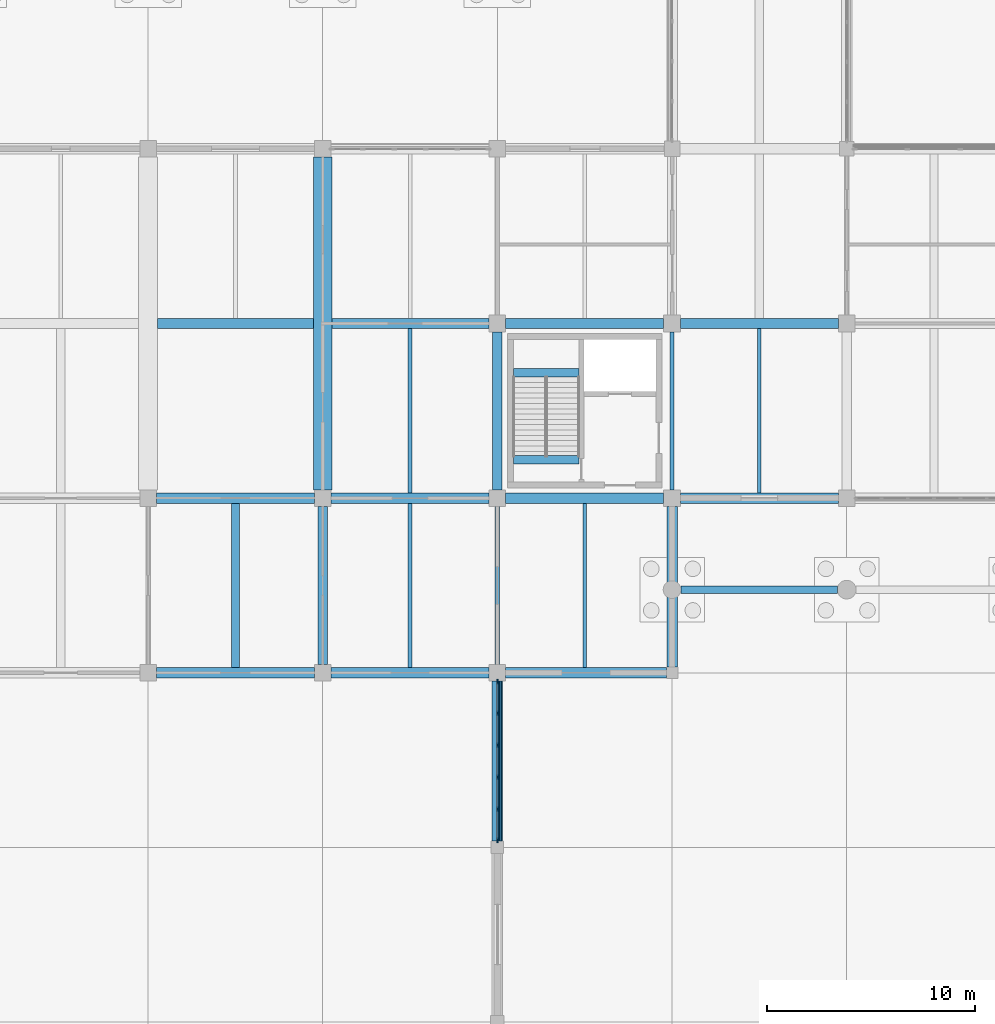
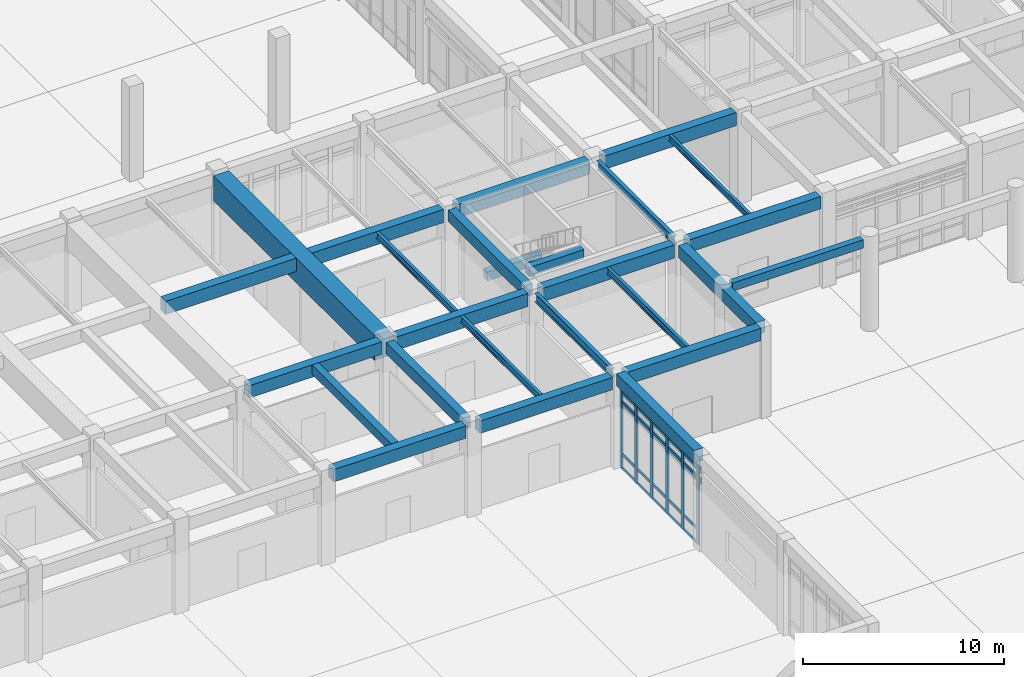
# One storey, part 13 of 91: 28 members, 26 beams, 1 element without a shape of its own.
"""IFC4 building model written with IfcOpenShell, lengths in metres."""

from ifc_helpers import new_model, si_unit, direction, frame, origin, origin_2d, place, context, subcontext, project, spatial, rectangle, i_section, extrude, material, layer, layer_set, material_profile, profile_set, type_object, element, aggregate, save


model = new_model("IFC4")

# Units and contexts
model_context = context("Model", 3, precision=1e-05, world=origin(), true_north=direction((0.0, 1.0)))
body_context = subcontext(model_context, "Body", "Model", "MODEL_VIEW")
ifc_project = project(units=[si_unit("LENGTHUNIT", "METRE"), si_unit("AREAUNIT", "SQUARE_METRE"), si_unit("VOLUMEUNIT", "CUBIC_METRE"), si_unit("PLANEANGLEUNIT", "RADIAN"), si_unit("MASSUNIT", "GRAM", prefix="KILO")], contexts=[model_context])

# Site, building, storey
site_placement = place(None, origin())
site = spatial("IfcSite", under=ifc_project, at=site_placement, CompositionType="ELEMENT")
building_placement = place(site_placement, origin())
building = spatial("IfcBuilding", under=site, at=building_placement, Name="Porcellanite Civic Hall", CompositionType="ELEMENT")
storey_placement = place(building_placement, origin())
storey = spatial("IfcBuildingStorey", under=building, at=storey_placement, Name="L00", CompositionType="ELEMENT", Elevation=0.0)

# Beams
ifc_material_1 = material(Name="Concrete N50 (50 MPa)", Category="concrete")
ifc_material_profile_1 = material_profile(ifc_material_1, rectangle(XDim=0.39990234375, YDim=0.550048828125, at=origin_2d()), Name="RC-400x550")
ifc_profile_set_1 = profile_set([ifc_material_profile_1], Name="Concrete N50 (50 MPa)")
beam_type_1 = type_object("IfcBeamType", Name="BM-RC550", PredefinedType="JOIST", material=ifc_profile_set_1)
beam_1_placement = place(storey_placement, frame((96.60009765625, 42.24951171875, 5.22509765625), z_axis=(0.0, 1.0, 0.0), x_axis=(-1.0, 0.0, 0.0)))
element("IfcBeam", 1, at=beam_1_placement, inside=storey, type_object=beam_type_1, Name="Secondary joist L00 12-6", PredefinedType="JOIST", context=body_context, shape_type="SweptSolid", body=[
    extrude(rectangle(XDim=0.39990234375, YDim=0.550048828125, at=origin_2d()), origin(), (0.0, 0.0, 1.0), 7.90087890625),
])
for number, where, z_axis, x_axis, name in (
    (2, (109.98046875, 56.425048828125, 2.425048828125), (1.0, 0.0, 0.0), (0.0, 1.0, 0.0), "Stair landing beam C6 L00"),
    (3, (109.98046875, 52.25, 5.22509765625), (1.0, 0.0, 0.0), (0.0, 1.0, 0.0), "Stair header beam C6 L00"),
):
    element("IfcBeam", number, at=place(storey_placement, frame(where, z_axis=z_axis, x_axis=x_axis)), inside=storey, type_object=beam_type_1, Name=name, PredefinedType="JOIST", context=body_context, shape_type="SweptSolid", body=[
        extrude(rectangle(XDim=0.39990234375, YDim=0.550048828125, at=origin_2d()), origin(), (0.0, 0.0, 1.0), 3.138916015625),
    ])
ifc_material_2 = material(Name="Concrete N50 (50 MPa)", Category="concrete")
ifc_material_profile_2 = material_profile(ifc_material_2, rectangle(XDim=0.449951171875, YDim=0.699951171875, at=origin_2d()), Name="RC-450x700")
ifc_profile_set_2 = profile_set([ifc_material_profile_2], Name="Concrete N50 (50 MPa)")
beam_type_2 = type_object("IfcBeamType", Name="BM-RC700", PredefinedType="BEAM", material=ifc_profile_set_2)
beam_2_placement = place(storey_placement, frame((100.800048828125, 42.3994140625, 5.14990234375), z_axis=(0.0, 1.0, 0.0), x_axis=(-1.0, 0.0, 0.0)))
element("IfcBeam", 4, at=beam_2_placement, inside=storey, type_object=beam_type_2, Name="Beam Y L00 13-6", PredefinedType="BEAM", context=body_context, shape_type="SweptSolid", body=[
    extrude(rectangle(XDim=0.449951171875, YDim=0.699951171875, at=origin_2d()), origin(), (0.0, 0.0, 1.0), 7.60107421875),
])
beam_3_placement = place(storey_placement, frame((109.199951171875, 50.799560546875, 5.14990234375), z_axis=(0.0, 1.0, 0.0), x_axis=(-1.0, 0.0, 0.0)))
element("IfcBeam", 5, at=beam_3_placement, inside=storey, type_object=beam_type_2, Name="Beam Y L00 14-7", PredefinedType="BEAM", context=body_context, shape_type="SweptSolid", body=[
    extrude(rectangle(XDim=0.449951171875, YDim=0.699951171875, at=origin_2d()), origin(), (0.0, 0.0, 1.0), 7.600830078125),
])
ifc_material_3 = material(Name="Concrete N50 (50 MPa)", Category="concrete")
ifc_material_profile_3 = material_profile(ifc_material_3, rectangle(XDim=0.5, YDim=0.75, at=origin_2d()), Name="RC-500x750")
ifc_profile_set_3 = profile_set([ifc_material_profile_3], Name="Concrete N50 (50 MPa)")
beam_type_3 = type_object("IfcBeamType", Name="BM-RC750", PredefinedType="SPANDREL", material=ifc_profile_set_3)
for number, where, z_axis, x_axis, name in (
    (6, (92.799560546875, 42.0, 5.125), (1.0, 0.0, 0.0), (0.0, 1.0, 0.0), "Beam X L00 12-6"),
    (7, (92.799560546875, 50.39990234375, 5.125), (1.0, 0.0, 0.0), (0.0, 1.0, 0.0), "Beam X L00 12-7"),
):
    element("IfcBeam", number, at=place(storey_placement, frame(where, z_axis=z_axis, x_axis=x_axis)), inside=storey, type_object=beam_type_3, Name=name, PredefinedType="SPANDREL", context=body_context, shape_type="SweptSolid", body=[
        extrude(rectangle(XDim=0.5, YDim=0.75, at=origin_2d()), origin(), (0.0, 0.0, 1.0), 7.600830078125),
    ])
beam_4_placement = place(storey_placement, frame((101.199462890625, 42.0, 5.125), z_axis=(1.0, 0.0, 0.0), x_axis=(0.0, 1.0, 0.0)))
element("IfcBeam", 8, at=beam_4_placement, inside=storey, type_object=beam_type_3, Name="Beam X L00 13-6", PredefinedType="SPANDREL", context=body_context, shape_type="SweptSolid", body=[
    extrude(rectangle(XDim=0.5, YDim=0.75, at=origin_2d()), origin(), (0.0, 0.0, 1.0), 7.60107421875),
])
beam_5_placement = place(storey_placement, frame((109.599609375, 42.0, 5.125), z_axis=(1.0, 0.0, 0.0), x_axis=(0.0, 1.0, 0.0)))
element("IfcBeam", 9, at=beam_5_placement, inside=storey, type_object=beam_type_3, Name="Beam X L00 14-6", PredefinedType="SPANDREL", context=body_context, shape_type="SweptSolid", body=[
    extrude(rectangle(XDim=0.5, YDim=0.75, at=origin_2d()), origin(), (0.0, 0.0, 1.0), 7.725830078125),
])
beam_6_placement = place(storey_placement, frame((117.99951171875, 50.39990234375, 5.125), z_axis=(1.0, 0.0, 0.0), x_axis=(0.0, 1.0, 0.0)))
element("IfcBeam", 10, at=beam_6_placement, inside=storey, type_object=beam_type_3, Name="Beam X L00 15-7", PredefinedType="SPANDREL", context=body_context, shape_type="SweptSolid", body=[
    extrude(rectangle(XDim=0.5, YDim=0.75, at=origin_2d()), origin(), (0.0, 0.0, 1.0), 7.60107421875),
])
beam_7_placement = place(storey_placement, frame((117.60009765625, 42.2744140625, 5.125), z_axis=(0.0, 1.0, 0.0), x_axis=(-1.0, 0.0, 0.0)))
element("IfcBeam", 11, at=beam_7_placement, inside=storey, type_object=beam_type_3, Name="Beam Y L00 15-6", PredefinedType="SPANDREL", context=body_context, shape_type="SweptSolid", body=[
    extrude(rectangle(XDim=0.5, YDim=0.75, at=origin_2d()), origin(), (0.0, 0.0, 1.0), 7.72607421875),
])
beam_8_placement = place(storey_placement, frame((109.199951171875, 33.8994140625, 5.385009765625), z_axis=(0.0, 1.0, 0.0), x_axis=(-1.0, 0.0, 0.0)))
element("IfcBeam", 12, at=beam_8_placement, inside=storey, type_object=beam_type_3, Name="Public Hall waist spandrel E 4", PredefinedType="SPANDREL", context=body_context, shape_type="SweptSolid", body=[
    extrude(rectangle(XDim=0.5, YDim=0.75, at=origin_2d()), origin(), (0.0, 0.0, 1.0), 7.701171875),
])
ifc_material_4 = material(Name="Concrete N50 (50 MPa)", Category="concrete")
ifc_material_profile_4 = material_profile(ifc_material_4, rectangle(XDim=0.5, YDim=0.800048828125, at=origin_2d()), Name="RC-500x800")
ifc_profile_set_4 = profile_set([ifc_material_profile_4], Name="Concrete N50 (50 MPa)")
beam_type_4 = type_object("IfcBeamType", Name="BM-RC800", PredefinedType="BEAM", material=ifc_profile_set_4)
beam_9_placement = place(storey_placement, frame((92.849609375, 58.800048828125, 5.10009765625), z_axis=(1.0, 0.0, 0.0), x_axis=(0.0, 1.0, 0.0)))
element("IfcBeam", 13, at=beam_9_placement, inside=storey, type_object=beam_type_4, Name="Foyer tie beam L01 11", PredefinedType="BEAM", context=body_context, shape_type="SweptSolid", body=[
    extrude(rectangle(XDim=0.5, YDim=0.800048828125, at=origin_2d()), origin(), (0.0, 0.0, 1.0), 7.5009765625),
])
beam_10_placement = place(storey_placement, frame((101.24951171875, 58.800048828125, 5.10009765625), z_axis=(1.0, 0.0, 0.0), x_axis=(0.0, 1.0, 0.0)))
element("IfcBeam", 14, at=beam_10_placement, inside=storey, type_object=beam_type_4, Name="Foyer tie beam L01 12", PredefinedType="BEAM", context=body_context, shape_type="SweptSolid", body=[
    extrude(rectangle(XDim=0.5, YDim=0.800048828125, at=origin_2d()), origin(), (0.0, 0.0, 1.0), 7.551025390625),
])
beam_11_placement = place(storey_placement, frame((101.199462890625, 50.39990234375, 5.10009765625), z_axis=(1.0, 0.0, 0.0), x_axis=(0.0, 1.0, 0.0)))
element("IfcBeam", 15, at=beam_11_placement, inside=storey, type_object=beam_type_4, Name="Beam X L00 13-7", PredefinedType="BEAM", context=body_context, shape_type="SweptSolid", body=[
    extrude(rectangle(XDim=0.5, YDim=0.800048828125, at=origin_2d()), origin(), (0.0, 0.0, 1.0), 7.60107421875),
])
for number, where, z_axis, x_axis, name in (
    (16, (109.599609375, 50.39990234375, 5.10009765625), (1.0, 0.0, 0.0), (0.0, 1.0, 0.0), "Beam X L00 14-7"),
    (17, (109.599609375, 58.800048828125, 5.10009765625), (1.0, 0.0, 0.0), (0.0, 1.0, 0.0), "Beam X L00 14-8"),
):
    element("IfcBeam", number, at=place(storey_placement, frame(where, z_axis=z_axis, x_axis=x_axis)), inside=storey, type_object=beam_type_4, Name=name, PredefinedType="BEAM", context=body_context, shape_type="SweptSolid", body=[
        extrude(rectangle(XDim=0.5, YDim=0.800048828125, at=origin_2d()), origin(), (0.0, 0.0, 1.0), 7.600830078125),
    ])
beam_12_placement = place(storey_placement, frame((117.99951171875, 58.800048828125, 5.10009765625), z_axis=(1.0, 0.0, 0.0), x_axis=(0.0, 1.0, 0.0)))
element("IfcBeam", 18, at=beam_12_placement, inside=storey, type_object=beam_type_4, Name="Beam X L00 15-8", PredefinedType="BEAM", context=body_context, shape_type="SweptSolid", body=[
    extrude(rectangle(XDim=0.5, YDim=0.800048828125, at=origin_2d()), origin(), (0.0, 0.0, 1.0), 7.60107421875),
])

# Curtain wall, members
ifc_material_5 = material(Name="Anodised aluminium and solar laminated glass", Category="aluminium")
ifc_layer = layer(ifc_material_5, 0.179931640625)
ifc_layer_set = layer_set([ifc_layer], Name="Anodised aluminium and solar laminated glass")
curtain_wall_type = type_object("IfcCurtainWallType", Name="CW-SYS01", PredefinedType="NOTDEFINED", material=ifc_layer_set)
curtain_wall_placement = place(storey_placement, origin())
curtain_wall = element("IfcCurtainWall", 19, at=curtain_wall_placement, inside=storey, type_object=curtain_wall_type, Name="Curtain wall CW-033", PredefinedType="NOTDEFINED")
ifc_material_6 = material(Name="Anodised aluminium 6063-T6", Category="aluminium")
ifc_material_profile_5 = material_profile(ifc_material_6, rectangle(XDim=0.080078125, YDim=0.239990234375, at=origin_2d()), Name="AL-80x240")
ifc_profile_set_5 = profile_set([ifc_material_profile_5], Name="Anodised aluminium 6063-T6")
member_type_1 = type_object("IfcMemberType", Name="CWM-01", PredefinedType="MULLION", material=ifc_profile_set_5)
member_1_placement = place(storey_placement, frame((109.199951171875, 41.55908203125, 0.0), z_axis=(0.0, 0.0, 1.0), x_axis=(1.0, 0.0, 0.0)))
member_1 = element("IfcMember", 20, at=member_1_placement, type_object=member_type_1, Name="CW-033 mullion 1", PredefinedType="MULLION", context=body_context, shape_type="SweptSolid", body=[
    extrude(rectangle(XDim=0.080078125, YDim=0.239990234375, at=origin_2d()), origin(), (0.0, 0.0, 1.0), 4.699951171875),
])
member_2_placement = place(storey_placement, frame((109.199951171875, 40.059326171875, 0.0), z_axis=(0.0, 0.0, 1.0), x_axis=(1.0, 0.0, 0.0)))
member_2 = element("IfcMember", 21, at=member_2_placement, type_object=member_type_1, Name="CW-033 mullion 2", PredefinedType="MULLION", context=body_context, shape_type="SweptSolid", body=[
    extrude(rectangle(XDim=0.080078125, YDim=0.239990234375, at=origin_2d()), origin(), (0.0, 0.0, 1.0), 4.699951171875),
])
member_3_placement = place(storey_placement, frame((109.199951171875, 38.519775390625, 0.0), z_axis=(0.0, 0.0, 1.0), x_axis=(1.0, 0.0, 0.0)))
member_3 = element("IfcMember", 22, at=member_3_placement, type_object=member_type_1, Name="CW-033 mullion 3", PredefinedType="MULLION", context=body_context, shape_type="SweptSolid", body=[
    extrude(rectangle(XDim=0.080078125, YDim=0.239990234375, at=origin_2d()), origin(), (0.0, 0.0, 1.0), 4.699951171875),
])
member_4_placement = place(storey_placement, frame((109.199951171875, 36.980224609375, 0.0), z_axis=(0.0, 0.0, 1.0), x_axis=(1.0, 0.0, 0.0)))
member_4 = element("IfcMember", 23, at=member_4_placement, type_object=member_type_1, Name="CW-033 mullion 4", PredefinedType="MULLION", context=body_context, shape_type="SweptSolid", body=[
    extrude(rectangle(XDim=0.080078125, YDim=0.239990234375, at=origin_2d()), origin(), (0.0, 0.0, 1.0), 4.699951171875),
])
member_5_placement = place(storey_placement, frame((109.199951171875, 35.440673828125, 0.0), z_axis=(0.0, 0.0, 1.0), x_axis=(1.0, 0.0, 0.0)))
member_5 = element("IfcMember", 24, at=member_5_placement, type_object=member_type_1, Name="CW-033 mullion 5", PredefinedType="MULLION", context=body_context, shape_type="SweptSolid", body=[
    extrude(rectangle(XDim=0.080078125, YDim=0.239990234375, at=origin_2d()), origin(), (0.0, 0.0, 1.0), 4.699951171875),
])
member_6_placement = place(storey_placement, frame((109.199951171875, 33.94091796875, 0.0), z_axis=(0.0, 0.0, 1.0), x_axis=(1.0, 0.0, 0.0)))
member_6 = element("IfcMember", 25, at=member_6_placement, type_object=member_type_1, Name="CW-033 mullion 6", PredefinedType="MULLION", context=body_context, shape_type="SweptSolid", body=[
    extrude(rectangle(XDim=0.080078125, YDim=0.239990234375, at=origin_2d()), origin(), (0.0, 0.0, 1.0), 4.699951171875),
])
ifc_material_7 = material(Name="Anodised aluminium 6063-T6", Category="aluminium")
ifc_material_profile_6 = material_profile(ifc_material_7, rectangle(XDim=0.070068359375, YDim=0.175048828125, at=origin_2d()), Name="AL-70x175")
ifc_profile_set_6 = profile_set([ifc_material_profile_6], Name="Anodised aluminium 6063-T6")
member_type_2 = type_object("IfcMemberType", Name="CWT-01", PredefinedType="USERDEFINED", material=ifc_profile_set_6)
member_7_placement = place(storey_placement, frame((109.199951171875, 41.51904296875, 0.034912109375), z_axis=(0.0, -1.0, 0.0), x_axis=(1.0, 0.0, 0.0)))
member_7 = element("IfcMember", 26, at=member_7_placement, type_object=member_type_2, Name="CW-033 transom 1.1", ObjectType="TRANSOM", PredefinedType="USERDEFINED", context=body_context, shape_type="SweptSolid", body=[
    extrude(rectangle(XDim=0.070068359375, YDim=0.175048828125, at=origin_2d()), origin(), (0.0, 0.0, 1.0), 1.419677734375),
])
member_8_placement = place(storey_placement, frame((109.199951171875, 41.51904296875, 0.89990234375), z_axis=(0.0, -1.0, 0.0), x_axis=(1.0, 0.0, 0.0)))
member_8 = element("IfcMember", 27, at=member_8_placement, type_object=member_type_2, Name="CW-033 transom 1.2", ObjectType="TRANSOM", PredefinedType="USERDEFINED", context=body_context, shape_type="SweptSolid", body=[
    extrude(rectangle(XDim=0.070068359375, YDim=0.175048828125, at=origin_2d()), origin(), (0.0, 0.0, 1.0), 1.419677734375),
])
member_9_placement = place(storey_placement, frame((109.199951171875, 41.51904296875, 4.050048828125), z_axis=(0.0, -1.0, 0.0), x_axis=(1.0, 0.0, 0.0)))
member_9 = element("IfcMember", 28, at=member_9_placement, type_object=member_type_2, Name="CW-033 transom 1.3", ObjectType="TRANSOM", PredefinedType="USERDEFINED", context=body_context, shape_type="SweptSolid", body=[
    extrude(rectangle(XDim=0.070068359375, YDim=0.175048828125, at=origin_2d()), origin(), (0.0, 0.0, 1.0), 1.419677734375),
])
member_10_placement = place(storey_placement, frame((109.199951171875, 41.51904296875, 4.6650390625), z_axis=(0.0, -1.0, 0.0), x_axis=(1.0, 0.0, 0.0)))
member_10 = element("IfcMember", 29, at=member_10_placement, type_object=member_type_2, Name="CW-033 transom 1.4", ObjectType="TRANSOM", PredefinedType="USERDEFINED", context=body_context, shape_type="SweptSolid", body=[
    extrude(rectangle(XDim=0.070068359375, YDim=0.175048828125, at=origin_2d()), origin(), (0.0, 0.0, 1.0), 1.419677734375),
])
member_11_placement = place(storey_placement, frame((109.199951171875, 40.019287109375, 0.034912109375), z_axis=(0.0, -1.0, 0.0), x_axis=(1.0, 0.0, 0.0)))
member_11 = element("IfcMember", 30, at=member_11_placement, type_object=member_type_2, Name="CW-033 transom 2.1", ObjectType="TRANSOM", PredefinedType="USERDEFINED", context=body_context, shape_type="SweptSolid", body=[
    extrude(rectangle(XDim=0.070068359375, YDim=0.175048828125, at=origin_2d()), origin(), (0.0, 0.0, 1.0), 1.45947265625),
])
member_12_placement = place(storey_placement, frame((109.199951171875, 40.019287109375, 0.89990234375), z_axis=(0.0, -1.0, 0.0), x_axis=(1.0, 0.0, 0.0)))
member_12 = element("IfcMember", 31, at=member_12_placement, type_object=member_type_2, Name="CW-033 transom 2.2", ObjectType="TRANSOM", PredefinedType="USERDEFINED", context=body_context, shape_type="SweptSolid", body=[
    extrude(rectangle(XDim=0.070068359375, YDim=0.175048828125, at=origin_2d()), origin(), (0.0, 0.0, 1.0), 1.45947265625),
])
member_13_placement = place(storey_placement, frame((109.199951171875, 40.019287109375, 4.050048828125), z_axis=(0.0, -1.0, 0.0), x_axis=(1.0, 0.0, 0.0)))
member_13 = element("IfcMember", 32, at=member_13_placement, type_object=member_type_2, Name="CW-033 transom 2.3", ObjectType="TRANSOM", PredefinedType="USERDEFINED", context=body_context, shape_type="SweptSolid", body=[
    extrude(rectangle(XDim=0.070068359375, YDim=0.175048828125, at=origin_2d()), origin(), (0.0, 0.0, 1.0), 1.45947265625),
])
member_14_placement = place(storey_placement, frame((109.199951171875, 40.019287109375, 4.6650390625), z_axis=(0.0, -1.0, 0.0), x_axis=(1.0, 0.0, 0.0)))
member_14 = element("IfcMember", 33, at=member_14_placement, type_object=member_type_2, Name="CW-033 transom 2.4", ObjectType="TRANSOM", PredefinedType="USERDEFINED", context=body_context, shape_type="SweptSolid", body=[
    extrude(rectangle(XDim=0.070068359375, YDim=0.175048828125, at=origin_2d()), origin(), (0.0, 0.0, 1.0), 1.45947265625),
])
member_15_placement = place(storey_placement, frame((109.199951171875, 38.479736328125, 0.034912109375), z_axis=(0.0, -1.0, 0.0), x_axis=(1.0, 0.0, 0.0)))
member_15 = element("IfcMember", 34, at=member_15_placement, type_object=member_type_2, Name="CW-033 transom 3.1", ObjectType="TRANSOM", PredefinedType="USERDEFINED", context=body_context, shape_type="SweptSolid", body=[
    extrude(rectangle(XDim=0.070068359375, YDim=0.175048828125, at=origin_2d()), origin(), (0.0, 0.0, 1.0), 1.45947265625),
])
member_16_placement = place(storey_placement, frame((109.199951171875, 38.479736328125, 0.89990234375), z_axis=(0.0, -1.0, 0.0), x_axis=(1.0, 0.0, 0.0)))
member_16 = element("IfcMember", 35, at=member_16_placement, type_object=member_type_2, Name="CW-033 transom 3.2", ObjectType="TRANSOM", PredefinedType="USERDEFINED", context=body_context, shape_type="SweptSolid", body=[
    extrude(rectangle(XDim=0.070068359375, YDim=0.175048828125, at=origin_2d()), origin(), (0.0, 0.0, 1.0), 1.45947265625),
])
member_17_placement = place(storey_placement, frame((109.199951171875, 38.479736328125, 4.050048828125), z_axis=(0.0, -1.0, 0.0), x_axis=(1.0, 0.0, 0.0)))
member_17 = element("IfcMember", 36, at=member_17_placement, type_object=member_type_2, Name="CW-033 transom 3.3", ObjectType="TRANSOM", PredefinedType="USERDEFINED", context=body_context, shape_type="SweptSolid", body=[
    extrude(rectangle(XDim=0.070068359375, YDim=0.175048828125, at=origin_2d()), origin(), (0.0, 0.0, 1.0), 1.45947265625),
])
member_18_placement = place(storey_placement, frame((109.199951171875, 38.479736328125, 4.6650390625), z_axis=(0.0, -1.0, 0.0), x_axis=(1.0, 0.0, 0.0)))
member_18 = element("IfcMember", 37, at=member_18_placement, type_object=member_type_2, Name="CW-033 transom 3.4", ObjectType="TRANSOM", PredefinedType="USERDEFINED", context=body_context, shape_type="SweptSolid", body=[
    extrude(rectangle(XDim=0.070068359375, YDim=0.175048828125, at=origin_2d()), origin(), (0.0, 0.0, 1.0), 1.45947265625),
])
member_19_placement = place(storey_placement, frame((109.199951171875, 36.940185546875, 0.034912109375), z_axis=(0.0, -1.0, 0.0), x_axis=(1.0, 0.0, 0.0)))
member_19 = element("IfcMember", 38, at=member_19_placement, type_object=member_type_2, Name="CW-033 transom 4.1", ObjectType="TRANSOM", PredefinedType="USERDEFINED", context=body_context, shape_type="SweptSolid", body=[
    extrude(rectangle(XDim=0.070068359375, YDim=0.175048828125, at=origin_2d()), origin(), (0.0, 0.0, 1.0), 1.45947265625),
])
member_20_placement = place(storey_placement, frame((109.199951171875, 36.940185546875, 0.89990234375), z_axis=(0.0, -1.0, 0.0), x_axis=(1.0, 0.0, 0.0)))
member_20 = element("IfcMember", 39, at=member_20_placement, type_object=member_type_2, Name="CW-033 transom 4.2", ObjectType="TRANSOM", PredefinedType="USERDEFINED", context=body_context, shape_type="SweptSolid", body=[
    extrude(rectangle(XDim=0.070068359375, YDim=0.175048828125, at=origin_2d()), origin(), (0.0, 0.0, 1.0), 1.45947265625),
])
member_21_placement = place(storey_placement, frame((109.199951171875, 36.940185546875, 4.050048828125), z_axis=(0.0, -1.0, 0.0), x_axis=(1.0, 0.0, 0.0)))
member_21 = element("IfcMember", 40, at=member_21_placement, type_object=member_type_2, Name="CW-033 transom 4.3", ObjectType="TRANSOM", PredefinedType="USERDEFINED", context=body_context, shape_type="SweptSolid", body=[
    extrude(rectangle(XDim=0.070068359375, YDim=0.175048828125, at=origin_2d()), origin(), (0.0, 0.0, 1.0), 1.45947265625),
])
member_22_placement = place(storey_placement, frame((109.199951171875, 36.940185546875, 4.6650390625), z_axis=(0.0, -1.0, 0.0), x_axis=(1.0, 0.0, 0.0)))
member_22 = element("IfcMember", 41, at=member_22_placement, type_object=member_type_2, Name="CW-033 transom 4.4", ObjectType="TRANSOM", PredefinedType="USERDEFINED", context=body_context, shape_type="SweptSolid", body=[
    extrude(rectangle(XDim=0.070068359375, YDim=0.175048828125, at=origin_2d()), origin(), (0.0, 0.0, 1.0), 1.45947265625),
])
member_23_placement = place(storey_placement, frame((109.199951171875, 35.400634765625, 0.034912109375), z_axis=(0.0, -1.0, 0.0), x_axis=(1.0, 0.0, 0.0)))
member_23 = element("IfcMember", 42, at=member_23_placement, type_object=member_type_2, Name="CW-033 transom 5.1", ObjectType="TRANSOM", PredefinedType="USERDEFINED", context=body_context, shape_type="SweptSolid", body=[
    extrude(rectangle(XDim=0.070068359375, YDim=0.175048828125, at=origin_2d()), origin(), (0.0, 0.0, 1.0), 1.419677734375),
])
member_24_placement = place(storey_placement, frame((109.199951171875, 35.400634765625, 0.89990234375), z_axis=(0.0, -1.0, 0.0), x_axis=(1.0, 0.0, 0.0)))
member_24 = element("IfcMember", 43, at=member_24_placement, type_object=member_type_2, Name="CW-033 transom 5.2", ObjectType="TRANSOM", PredefinedType="USERDEFINED", context=body_context, shape_type="SweptSolid", body=[
    extrude(rectangle(XDim=0.070068359375, YDim=0.175048828125, at=origin_2d()), origin(), (0.0, 0.0, 1.0), 1.419677734375),
])
member_25_placement = place(storey_placement, frame((109.199951171875, 35.400634765625, 4.050048828125), z_axis=(0.0, -1.0, 0.0), x_axis=(1.0, 0.0, 0.0)))
member_25 = element("IfcMember", 44, at=member_25_placement, type_object=member_type_2, Name="CW-033 transom 5.3", ObjectType="TRANSOM", PredefinedType="USERDEFINED", context=body_context, shape_type="SweptSolid", body=[
    extrude(rectangle(XDim=0.070068359375, YDim=0.175048828125, at=origin_2d()), origin(), (0.0, 0.0, 1.0), 1.419677734375),
])
member_26_placement = place(storey_placement, frame((109.199951171875, 35.400634765625, 4.6650390625), z_axis=(0.0, -1.0, 0.0), x_axis=(1.0, 0.0, 0.0)))
member_26 = element("IfcMember", 45, at=member_26_placement, type_object=member_type_2, Name="CW-033 transom 5.4", ObjectType="TRANSOM", PredefinedType="USERDEFINED", context=body_context, shape_type="SweptSolid", body=[
    extrude(rectangle(XDim=0.070068359375, YDim=0.175048828125, at=origin_2d()), origin(), (0.0, 0.0, 1.0), 1.419677734375),
])
aggregate(curtain_wall, [member_1, member_2, member_3, member_4, member_5, member_6, member_7, member_8, member_9, member_10, member_11, member_12, member_13, member_14, member_15, member_16, member_17, member_18, member_19, member_20, member_21, member_22, member_23, member_24, member_25, member_26])

# Beams
ifc_material_8 = material(Name="Steel Grade 350", Category="steel")
ifc_material_profile_7 = material_profile(ifc_material_8, i_section(OverallWidth=0.1708984375, OverallDepth=0.35595703125, WebThickness=0.00732421875, FlangeThickness=0.011474609375, FilletRadius=0.011474609375, at=origin_2d()), Name="360UB50.7")
ifc_profile_set_7 = profile_set([ifc_material_profile_7], Name="Steel Grade 350")
beam_type_5 = type_object("IfcBeamType", Name="JST-360UB51", PredefinedType="JOIST", material=ifc_profile_set_7)
beam_13_placement = place(storey_placement, frame((121.800048828125, 50.6494140625, 5.322021484375), z_axis=(0.0, 1.0, 0.0), x_axis=(-1.0, 0.0, 0.0)))
element("IfcBeam", 46, at=beam_13_placement, inside=storey, type_object=beam_type_5, Name="Secondary joist L00 15-7", PredefinedType="JOIST", context=body_context, shape_type="SweptSolid", body=[
    extrude(i_section(OverallWidth=0.1708984375, OverallDepth=0.35595703125, WebThickness=0.00732421875, FlangeThickness=0.011474609375, FilletRadius=0.011474609375, at=origin_2d()), origin(), (0.0, 0.0, 1.0), 7.901123046875),
])
ifc_material_9 = material(Name="Steel Grade 350", Category="steel")
ifc_material_profile_8 = material_profile(ifc_material_9, i_section(OverallWidth=0.177978515625, OverallDepth=0.403076171875, WebThickness=0.007568359375, FlangeThickness=0.010986328125, FilletRadius=0.011474609375, at=origin_2d()), Name="410UB53.7")
ifc_profile_set_8 = profile_set([ifc_material_profile_8], Name="Steel Grade 350")
beam_type_6 = type_object("IfcBeamType", Name="JST-410UB54", PredefinedType="JOIST", material=ifc_profile_set_8)
beam_14_placement = place(storey_placement, frame((105.0, 50.6494140625, 5.298583984375), z_axis=(0.0, 1.0, 0.0), x_axis=(-1.0, 0.0, 0.0)))
element("IfcBeam", 47, at=beam_14_placement, inside=storey, type_object=beam_type_6, Name="Secondary joist L00 13-7", PredefinedType="JOIST", context=body_context, shape_type="SweptSolid", body=[
    extrude(i_section(OverallWidth=0.177978515625, OverallDepth=0.403076171875, WebThickness=0.007568359375, FlangeThickness=0.010986328125, FilletRadius=0.011474609375, at=origin_2d()), origin(), (0.0, 0.0, 1.0), 7.901123046875),
])
beam_15_placement = place(storey_placement, frame((113.39990234375, 42.24951171875, 5.298583984375), z_axis=(0.0, 1.0, 0.0), x_axis=(-1.0, 0.0, 0.0)))
element("IfcBeam", 48, at=beam_15_placement, inside=storey, type_object=beam_type_6, Name="Secondary joist L00 14-6", PredefinedType="JOIST", context=body_context, shape_type="SweptSolid", body=[
    extrude(i_section(OverallWidth=0.177978515625, OverallDepth=0.403076171875, WebThickness=0.007568359375, FlangeThickness=0.010986328125, FilletRadius=0.011474609375, at=origin_2d()), origin(), (0.0, 0.0, 1.0), 7.90087890625),
])
ifc_material_10 = material(Name="Steel Grade 350", Category="steel")
ifc_material_profile_9 = material_profile(ifc_material_10, i_section(OverallWidth=0.177978515625, OverallDepth=0.406005859375, WebThickness=0.0078125, FlangeThickness=0.0126953125, FilletRadius=0.011474609375, at=origin_2d()), Name="410UB59.7")
ifc_profile_set_9 = profile_set([ifc_material_profile_9], Name="Steel Grade 350")
beam_type_7 = type_object("IfcBeamType", Name="JST-410UB60", PredefinedType="JOIST", material=ifc_profile_set_9)
beam_16_placement = place(storey_placement, frame((105.0, 42.24951171875, 5.297119140625), z_axis=(0.0, 1.0, 0.0), x_axis=(-1.0, 0.0, 0.0)))
element("IfcBeam", 49, at=beam_16_placement, inside=storey, type_object=beam_type_7, Name="Secondary joist L00 13-6", PredefinedType="JOIST", context=body_context, shape_type="SweptSolid", body=[
    extrude(i_section(OverallWidth=0.177978515625, OverallDepth=0.406005859375, WebThickness=0.0078125, FlangeThickness=0.0126953125, FilletRadius=0.011474609375, at=origin_2d()), origin(), (0.0, 0.0, 1.0), 7.90087890625),
])
ifc_material_11 = material(Name="Concrete N50 (50 MPa)", Category="concrete")
ifc_material_profile_10 = material_profile(ifc_material_11, rectangle(XDim=0.35009765625, YDim=0.5, at=origin_2d()), Name="RC-350x500")
ifc_profile_set_10 = profile_set([ifc_material_profile_10], Name="Concrete N50 (50 MPa)")
beam_type_8 = type_object("IfcBeamType", Name="LN-RC500", PredefinedType="LINTEL", material=ifc_profile_set_10)
beam_17_placement = place(storey_placement, frame((118.0244140625, 46.0, 5.260009765625), z_axis=(1.0, 0.0, 0.0), x_axis=(0.0, 1.0, 0.0)))
element("IfcBeam", 50, at=beam_17_placement, inside=storey, type_object=beam_type_8, Name="Colonnade keystone beam L00 COL-NE-P01", PredefinedType="LINTEL", context=body_context, shape_type="SweptSolid", body=[
    extrude(rectangle(XDim=0.35009765625, YDim=0.5, at=origin_2d()), origin(), (0.0, 0.0, 1.0), 7.526123046875),
])

# Members
ifc_material_12 = material(Name="Fluoropolymer bauxite-red aluminium 6063-T6", Category="aluminium")
ifc_material_profile_11 = material_profile(ifc_material_12, rectangle(XDim=0.090087890625, YDim=0.360107421875, at=origin_2d()), Name="AL-90x360")
ifc_profile_set_11 = profile_set([ifc_material_profile_11], Name="Fluoropolymer bauxite-red aluminium 6063-T6")
member_type_3 = type_object("IfcMemberType", Name="LV-BLD01", PredefinedType="USERDEFINED", material=ifc_profile_set_11)
for number, where, z_axis, x_axis, name in (
    (51, (109.366943359375, 41.6005859375, 4.39990234375), (0.0, -1.0, 0.0), (1.0, 0.0, 0.0), "Cyclone sunshade louvre L00 E 12-4 1"),
    (52, (109.366943359375, 41.6005859375, 3.75), (0.0, -1.0, 0.0), (1.0, 0.0, 0.0), "Cyclone sunshade louvre L00 E 12-4 2"),
):
    element("IfcMember", number, at=place(storey_placement, frame(where, z_axis=z_axis, x_axis=x_axis)), inside=storey, type_object=member_type_3, Name=name, ObjectType="LOUVRE BLADE", PredefinedType="USERDEFINED", context=body_context, shape_type="SweptSolid", body=[
        extrude(rectangle(XDim=0.090087890625, YDim=0.360107421875, at=origin_2d()), origin(), (0.0, 0.0, 1.0), 7.701171875),
    ])

# Beams
ifc_material_13 = material(Name="Steel Grade 350", Category="steel")
ifc_material_profile_12 = material_profile(ifc_material_13, i_section(OverallWidth=0.208984375, OverallDepth=0.528076171875, WebThickness=0.009521484375, FlangeThickness=0.01318359375, FilletRadius=0.013916015625, at=origin_2d()), Name="530UB82.0")
ifc_profile_set_12 = profile_set([ifc_material_profile_12], Name="Steel Grade 350")
beam_type_9 = type_object("IfcBeamType", Name="RAF-530UB82", PredefinedType="BEAM", material=ifc_profile_set_12)
beam_18_placement = place(storey_placement, frame((109.199951171875, 42.3994140625, 5.236083984375), z_axis=(0.0, 1.0, 0.0), x_axis=(-1.0, 0.0, 0.0)))
element("IfcBeam", 53, at=beam_18_placement, inside=storey, type_object=beam_type_9, Name="Beam Y L00 14-6", PredefinedType="BEAM", context=body_context, shape_type="SweptSolid", body=[
    extrude(i_section(OverallWidth=0.208984375, OverallDepth=0.528076171875, WebThickness=0.009521484375, FlangeThickness=0.01318359375, FilletRadius=0.013916015625, at=origin_2d()), origin(), (0.0, 0.0, 1.0), 7.60107421875),
])
beam_19_placement = place(storey_placement, frame((117.60009765625, 50.799560546875, 5.236083984375), z_axis=(0.0, 1.0, 0.0), x_axis=(-1.0, 0.0, 0.0)))
element("IfcBeam", 54, at=beam_19_placement, inside=storey, type_object=beam_type_9, Name="Beam Y L00 15-7", PredefinedType="BEAM", context=body_context, shape_type="SweptSolid", body=[
    extrude(i_section(OverallWidth=0.208984375, OverallDepth=0.528076171875, WebThickness=0.009521484375, FlangeThickness=0.01318359375, FilletRadius=0.013916015625, at=origin_2d()), origin(), (0.0, 0.0, 1.0), 7.600830078125),
])
ifc_material_14 = material(Name="Concrete N50 (50 MPa)", Category="concrete")
ifc_material_profile_13 = material_profile(ifc_material_14, rectangle(XDim=0.89990234375, YDim=1.5, at=origin_2d()), Name="RC-900x1500")
ifc_profile_set_13 = profile_set([ifc_material_profile_13], Name="Concrete N50 (50 MPa)")
beam_type_10 = type_object("IfcBeamType", Name="TG-02", PredefinedType="T_BEAM", material=ifc_profile_set_13)
beam_20_placement = place(storey_placement, frame((100.800048828125, 50.799560546875, 4.75), z_axis=(0.0, 1.0, 0.0), x_axis=(-1.0, 0.0, 0.0)))
element("IfcBeam", 55, at=beam_20_placement, inside=storey, type_object=beam_type_10, Name="Foyer concourse girder L01 12", PredefinedType="T_BEAM", context=body_context, shape_type="SweptSolid", body=[
    extrude(rectangle(XDim=0.89990234375, YDim=1.5, at=origin_2d()), origin(), (0.0, 0.0, 1.0), 16.0009765625),
])

save(model, "model.ifc")
